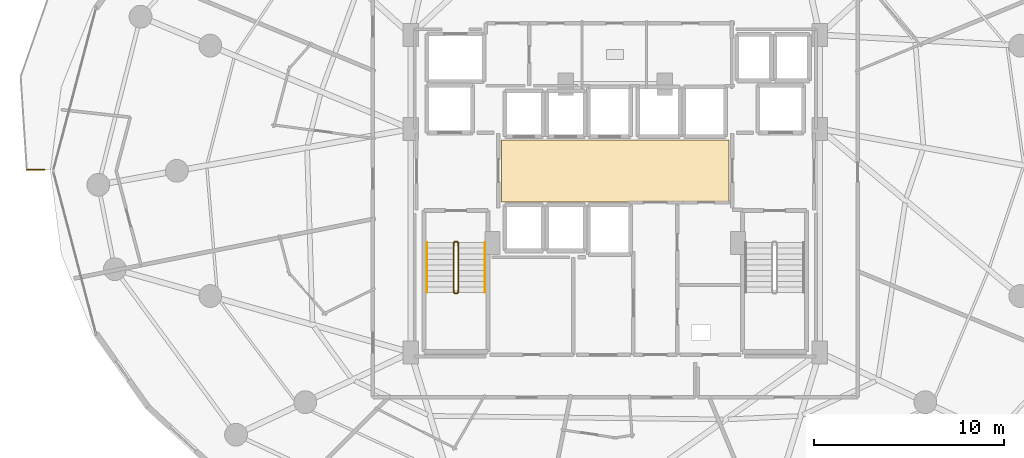
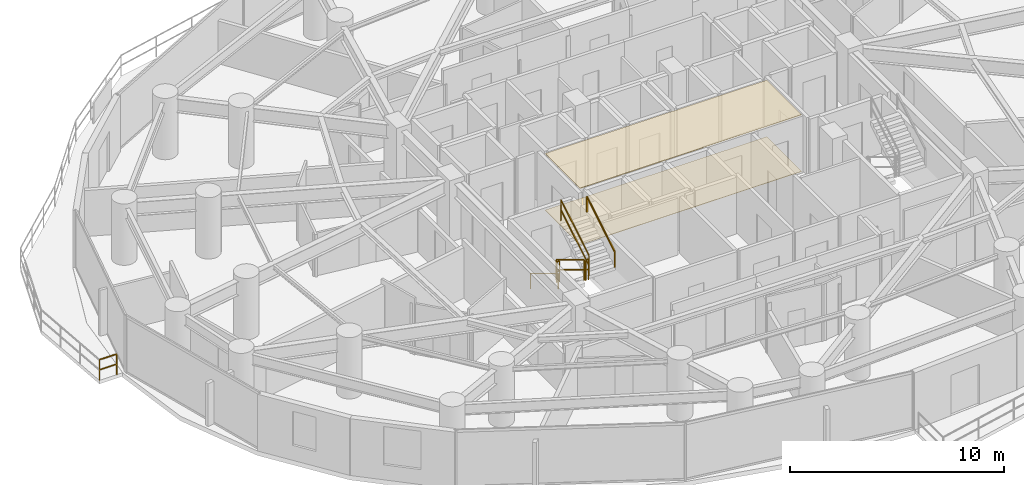
# One storey, part 32 of 35: 7 railings, 2 coverings.
"""IFC4 building model written with IfcOpenShell, lengths in metres."""

from ifc_helpers import new_model, si_unit, direction, frame, origin, origin_2d, place, context, subcontext, project, spatial, polyline, rectangle, outline, extrude, material, layer, layer_set, type_object, element, save


model = new_model("IFC4")

# Units and contexts
model_context = context("Model", 3, precision=1e-05, world=origin(), true_north=direction((0.0, 1.0)))
body_context = subcontext(model_context, "Body", "Model", "MODEL_VIEW")
ifc_project = project(units=[si_unit("LENGTHUNIT", "METRE"), si_unit("AREAUNIT", "SQUARE_METRE"), si_unit("VOLUMEUNIT", "CUBIC_METRE"), si_unit("PLANEANGLEUNIT", "RADIAN"), si_unit("MASSUNIT", "GRAM", prefix="KILO")], contexts=[model_context])

# Site, building, storey
site_placement = place(None, origin())
site = spatial("IfcSite", under=ifc_project, at=site_placement, CompositionType="ELEMENT")
building_placement = place(site_placement, origin())
building = spatial("IfcBuilding", under=site, at=building_placement, Name="Vorneva Point Tower", CompositionType="ELEMENT")
storey_placement = place(building_placement, frame((0.0, 0.0, 48.5)))
storey = spatial("IfcBuildingStorey", under=building, at=storey_placement, Name="L12", CompositionType="ELEMENT", Elevation=48.5)

# Coverings
ifc_material_1 = material(Name="Perforated acoustic aluminium baffle ceiling", Category="aluminium")
ifc_layer_1 = layer(ifc_material_1, 0.030029296875)
ifc_layer_set_1 = layer_set([ifc_layer_1], Name="Perforated acoustic aluminium baffle ceiling")
covering_type_1 = type_object("IfcCoveringType", Name="COV-CEIL-BAF", PredefinedType="CEILING", material=ifc_layer_set_1)
covering_1_placement = place(storey_placement, frame((0.0, 0.0, 3.2099609375)))
element("IfcCovering", 1, at=covering_1_placement, inside=storey, type_object=covering_type_1, Name="L12 Lift Lobby Acoustic Baffle Ceiling", PredefinedType="CEILING", context=body_context, shape_type="SweptSolid", body=[
    extrude(outline(polyline([(32.02001953125, 24.3701171875), (43.97998046875, 24.3701171875), (43.97998046875, 27.6298828125), (32.02001953125, 27.6298828125), (32.02001953125, 24.3701171875)])), origin(), (0.0, 0.0, 1.0), 0.03515625),
])
ifc_material_2 = material(Name="Acoustic wool hospitality carpet", Category="textile")
ifc_layer_2 = layer(ifc_material_2, 0.01806640625)
ifc_layer_set_2 = layer_set([ifc_layer_2], Name="Acoustic wool hospitality carpet")
covering_type_2 = type_object("IfcCoveringType", Name="COV-FLR-CRP", PredefinedType="FLOORING", material=ifc_layer_set_2)
covering_2_placement = place(storey_placement, frame((0.0, 0.0, -0.0048828125)))
element("IfcCovering", 2, at=covering_2_placement, inside=storey, type_object=covering_type_2, Name="L12 Lift Lobby Floor Finish", PredefinedType="FLOORING", context=body_context, shape_type="SweptSolid", body=[
    extrude(outline(polyline([(32.02001953125, 24.3701171875), (43.97998046875, 24.3701171875), (43.97998046875, 27.6298828125), (32.02001953125, 27.6298828125), (32.02001953125, 24.3701171875)])), origin(), (0.0, 0.0, 1.0), 0.02294921875),
])

# Railings
ifc_material_3 = material(Name="Pale anodised aluminium", Category="aluminium")
railing_type_1 = type_object("IfcRailingType", Name="RL-BAL-1200", PredefinedType="BALUSTRADE", material=ifc_material_3)
railing_1_placement = place(storey_placement, frame((7.046630859375, 26.050048828125, 0.0)))
element("IfcRailing", 3, at=railing_1_placement, inside=storey, type_object=railing_type_1, Name="L12 Wave Balcony Balustrade NW.1", PredefinedType="BALUSTRADE", context=body_context, shape_type="SweptSolid", body=[
    extrude(rectangle(XDim=0.048095703125, YDim=0.048095703125, at=origin_2d()), frame((0.0, 0.0, 1.17578125), z_axis=(1.0, 0.0, 0.0), x_axis=(0.0, 1.0, 0.0)), (0.0, 0.0, 1.0), 0.937255859375),
    extrude(rectangle(XDim=0.048095703125, YDim=0.048095703125, at=origin_2d()), frame((0.0, 0.0, 0.60009765625), z_axis=(1.0, 0.0, 0.0), x_axis=(0.0, 1.0, 0.0)), (0.0, 0.0, 1.0), 0.937255859375),
    extrude(rectangle(XDim=0.0419921875, YDim=0.0419921875, at=origin_2d()), origin(), (0.0, 0.0, 1.0), 1.15185546875),
    extrude(rectangle(XDim=0.0419921875, YDim=0.0419921875, at=origin_2d()), frame((0.937255859375, 0.0, 0.0)), (0.0, 0.0, 1.0), 1.15185546875),
])
ifc_material_4 = material(Name="Brushed stainless steel S304", Category="steel")
railing_type_2 = type_object("IfcRailingType", Name="RL-HND-920", PredefinedType="HANDRAIL", material=ifc_material_4)
railing_2_placement = place(storey_placement, frame((28.10009765625, 22.219970703125, 0.175048828125)))
element("IfcRailing", 4, at=railing_2_placement, inside=storey, type_object=railing_type_2, Name="L12 ST1 stair handrail 1", PredefinedType="HANDRAIL", context=body_context, shape_type="SweptSolid", body=[
    extrude(rectangle(XDim=0.048095703125, YDim=0.048095703125, at=origin_2d()), frame((0.0, 0.0, 0.8759765625), z_axis=(0.0, -0.85618277418, 0.516673066065), x_axis=(1.0, 0.0, 0.0)), (0.0, 0.0, 1.0), 3.04833984375),
    extrude(rectangle(XDim=0.0419921875, YDim=0.0419921875, at=origin_2d()), origin(), (0.0, 0.0, 1.0), 0.851806640625),
    extrude(rectangle(XDim=0.0419921875, YDim=0.0419921875, at=origin_2d()), frame((0.0, -2.60986328125, 1.574951171875)), (0.0, 0.0, 1.0), 0.851806640625),
])
railing_3_placement = place(storey_placement, frame((31.14990234375, 19.610107421875, 1.925048828125)))
element("IfcRailing", 5, at=railing_3_placement, inside=storey, type_object=railing_type_2, Name="L12 ST1 stair handrail 2", PredefinedType="HANDRAIL", context=body_context, shape_type="SweptSolid", body=[
    extrude(rectangle(XDim=0.048095703125, YDim=0.048095703125, at=origin_2d()), frame((0.0, 0.0, 0.8759765625), z_axis=(0.0, 0.85618277418, 0.516673066065), x_axis=(-1.0, 0.0, 0.0)), (0.0, 0.0, 1.0), 3.04833984375),
    extrude(rectangle(XDim=0.0419921875, YDim=0.0419921875, at=origin_2d()), origin(), (0.0, 0.0, 1.0), 0.851806640625),
    extrude(rectangle(XDim=0.0419921875, YDim=0.0419921875, at=origin_2d()), frame((0.0, 2.60986328125, 1.574951171875)), (0.0, 0.0, 1.0), 0.851806640625),
])
railing_type_3 = type_object("IfcRailingType", Name="RL-STG-1100", PredefinedType="GUARDRAIL", material=ifc_material_4)
railing_4_placement = place(storey_placement, frame((29.5, 22.219970703125, 0.175048828125)))
element("IfcRailing", 6, at=railing_4_placement, inside=storey, type_object=railing_type_3, Name="L12 ST1 stair guard 1", PredefinedType="GUARDRAIL", context=body_context, shape_type="SweptSolid", body=[
    extrude(rectangle(XDim=0.048095703125, YDim=0.048095703125, at=origin_2d()), frame((0.0, 0.0, 1.17578125), z_axis=(0.0, -0.85618277418, 0.516673066065), x_axis=(1.0, 0.0, 0.0)), (0.0, 0.0, 1.0), 3.04833984375),
    extrude(rectangle(XDim=0.048095703125, YDim=0.048095703125, at=origin_2d()), frame((0.0, 0.0, 0.60009765625), z_axis=(0.0, -0.85618277418, 0.516673066065), x_axis=(1.0, 0.0, 0.0)), (0.0, 0.0, 1.0), 3.04833984375),
    extrude(rectangle(XDim=0.0419921875, YDim=0.0419921875, at=origin_2d()), origin(), (0.0, 0.0, 1.0), 1.15185546875),
    extrude(rectangle(XDim=0.0419921875, YDim=0.0419921875, at=origin_2d()), frame((0.0, -2.60986328125, 1.574951171875)), (0.0, 0.0, 1.0), 1.15185546875),
])
railing_5_placement = place(storey_placement, frame((29.550048828125, 19.56005859375, 1.75)))
element("IfcRailing", 7, at=railing_5_placement, inside=storey, type_object=railing_type_3, Name="L12 ST1 stair guard 2", PredefinedType="GUARDRAIL", context=body_context, shape_type="SweptSolid", body=[
    extrude(rectangle(XDim=0.048095703125, YDim=0.048095703125, at=origin_2d()), frame((0.0, 0.0, 1.17578125), z_axis=(1.0, 0.0, 0.0), x_axis=(0.0, 1.0, 0.0)), (0.0, 0.0, 1.0), 0.14990234375),
    extrude(rectangle(XDim=0.048095703125, YDim=0.048095703125, at=origin_2d()), frame((0.0, 0.0, 0.60009765625), z_axis=(1.0, 0.0, 0.0), x_axis=(0.0, 1.0, 0.0)), (0.0, 0.0, 1.0), 0.14990234375),
    extrude(rectangle(XDim=0.0419921875, YDim=0.0419921875, at=origin_2d()), origin(), (0.0, 0.0, 1.0), 1.15185546875),
    extrude(rectangle(XDim=0.0419921875, YDim=0.0419921875, at=origin_2d()), frame((0.14990234375, 0.0, 0.0)), (0.0, 0.0, 1.0), 1.15185546875),
])
railing_6_placement = place(storey_placement, frame((29.75, 19.610107421875, 1.925048828125)))
element("IfcRailing", 8, at=railing_6_placement, inside=storey, type_object=railing_type_3, Name="L12 ST1 stair guard 3", PredefinedType="GUARDRAIL", context=body_context, shape_type="SweptSolid", body=[
    extrude(rectangle(XDim=0.048095703125, YDim=0.048095703125, at=origin_2d()), frame((0.0, 0.0, 1.17578125), z_axis=(0.0, 0.85618277418, 0.516673066065), x_axis=(-1.0, 0.0, 0.0)), (0.0, 0.0, 1.0), 3.04833984375),
    extrude(rectangle(XDim=0.048095703125, YDim=0.048095703125, at=origin_2d()), frame((0.0, 0.0, 0.60009765625), z_axis=(0.0, 0.85618277418, 0.516673066065), x_axis=(-1.0, 0.0, 0.0)), (0.0, 0.0, 1.0), 3.04833984375),
    extrude(rectangle(XDim=0.0419921875, YDim=0.0419921875, at=origin_2d()), origin(), (0.0, 0.0, 1.0), 1.15185546875),
    extrude(rectangle(XDim=0.0419921875, YDim=0.0419921875, at=origin_2d()), frame((0.0, 2.60986328125, 1.574951171875)), (0.0, 0.0, 1.0), 1.15185546875),
])
railing_7_placement = place(storey_placement, frame((29.550048828125, 22.27001953125, 0.0)))
element("IfcRailing", 9, at=railing_7_placement, inside=storey, type_object=railing_type_3, Name="L12 ST1 stair guard 4", PredefinedType="GUARDRAIL", context=body_context, shape_type="SweptSolid", body=[
    extrude(rectangle(XDim=0.048095703125, YDim=0.048095703125, at=origin_2d()), frame((0.0, 0.0, 1.17578125), z_axis=(1.0, 0.0, 0.0), x_axis=(0.0, 1.0, 0.0)), (0.0, 0.0, 1.0), 0.14990234375),
    extrude(rectangle(XDim=0.048095703125, YDim=0.048095703125, at=origin_2d()), frame((0.0, 0.0, 0.60009765625), z_axis=(1.0, 0.0, 0.0), x_axis=(0.0, 1.0, 0.0)), (0.0, 0.0, 1.0), 0.14990234375),
    extrude(rectangle(XDim=0.0419921875, YDim=0.0419921875, at=origin_2d()), origin(), (0.0, 0.0, 1.0), 1.15185546875),
    extrude(rectangle(XDim=0.0419921875, YDim=0.0419921875, at=origin_2d()), frame((0.14990234375, 0.0, 0.0)), (0.0, 0.0, 1.0), 1.15185546875),
])

save(model, "model.ifc")
